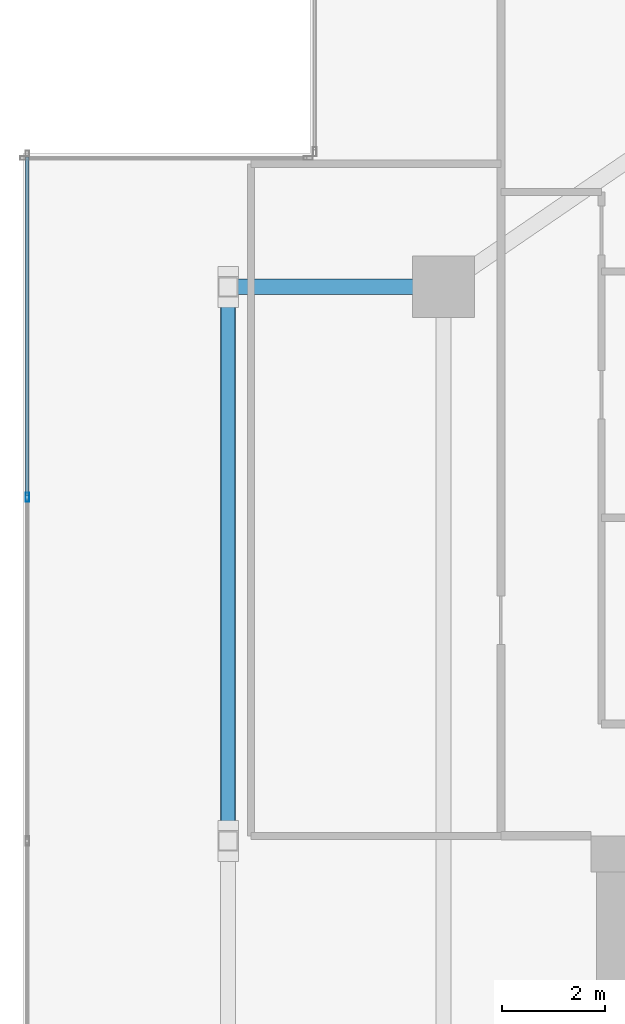
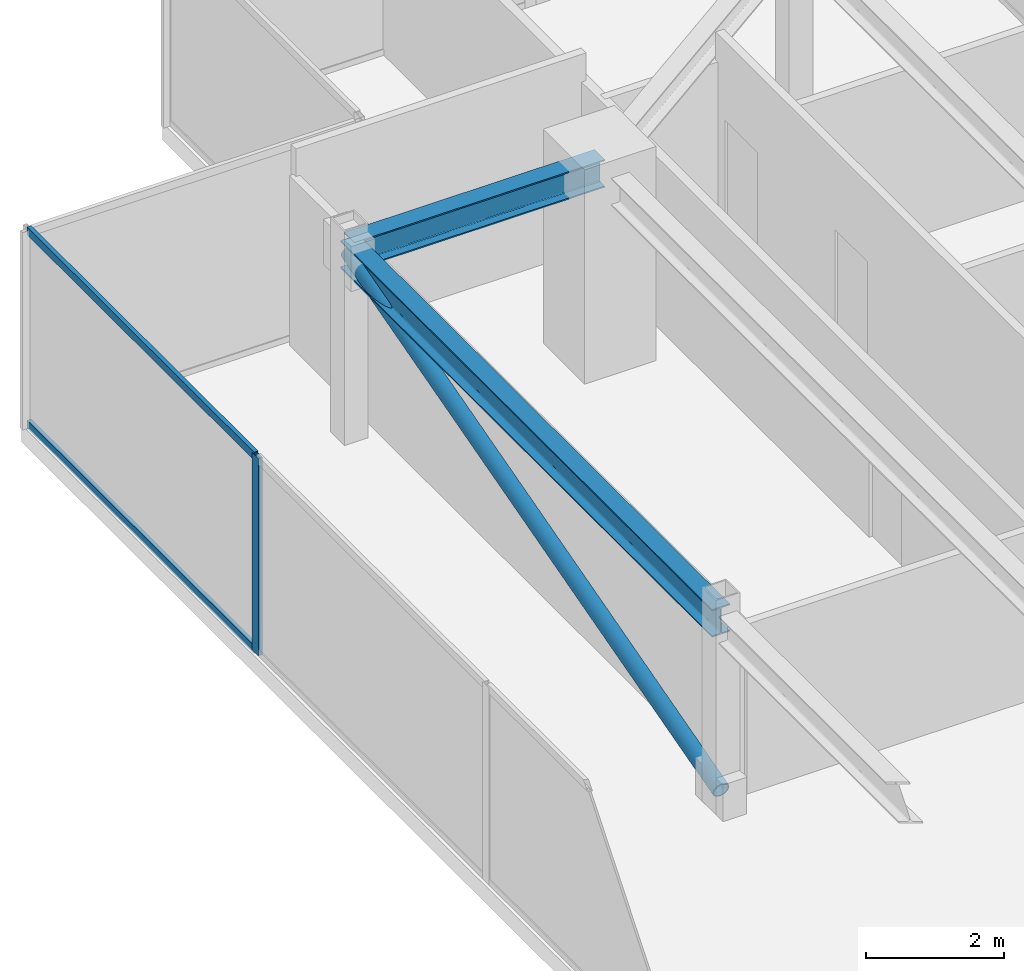
# One storey, part 10 of 25: 4 members, 2 beams, 1 element without a shape of its own.
"""IFC4 building model written with IfcOpenShell, lengths in metres."""

from ifc_helpers import new_model, si_unit, direction, frame, origin, origin_2d, place, context, subcontext, project, spatial, hollow_rectangle, hollow_circle, i_section, extrude, source, transform, mapped, material, material_profile, profile_set, type_object, type_shapes, element, aggregate, save


model = new_model("IFC4")

# Units and contexts
model_context = context("Model", 3, precision=1e-05, world=origin(), true_north=direction((0.0, 1.0)))
body_context = subcontext(model_context, "Body", "Model", "MODEL_VIEW")
ifc_project = project(units=[si_unit("LENGTHUNIT", "METRE"), si_unit("AREAUNIT", "SQUARE_METRE"), si_unit("VOLUMEUNIT", "CUBIC_METRE"), si_unit("PLANEANGLEUNIT", "RADIAN"), si_unit("MASSUNIT", "GRAM", prefix="KILO")], contexts=[model_context])

# Site, building, storey
site_placement = place(None, origin())
site = spatial("IfcSite", under=ifc_project, at=site_placement, CompositionType="ELEMENT")
building_placement = place(site_placement, origin())
building = spatial("IfcBuilding", under=site, at=building_placement, Name="Krantzveldt Concourse Tower", CompositionType="ELEMENT")
storey_placement = place(building_placement, frame((0.0, 0.0, 370.85009765625)))
storey = spatial("IfcBuildingStorey", under=building, at=storey_placement, Name="L91", CompositionType="ELEMENT", Elevation=370.85009765625)

# Beams
ifc_material_1 = material(Name="Steel S355JR", Category="steel")
ifc_material_profile_1 = material_profile(ifc_material_1, i_section(OverallWidth=0.300048828125, OverallDepth=0.489990234375, WebThickness=0.011962890625, FlangeThickness=0.02294921875, FilletRadius=0.027099609375, at=origin_2d()), Name="Steel S355JR", Category="steel")
ifc_profile_set_1 = profile_set([ifc_material_profile_1], Name="Steel S355JR - HEA 500")
beam_type = type_object("IfcBeamType", Name="BM-B-HEA500", PredefinedType="BEAM", material=ifc_profile_set_1)
shared_shape_1 = source(origin(), body_context, "Body", "SweptSolid", [
    extrude(i_section(OverallWidth=0.300048828125, OverallDepth=0.489990234375, WebThickness=0.011962890625, FlangeThickness=0.02294921875, FilletRadius=0.027099609375, at=origin_2d()), origin(), (0.0, 0.0, 1.0), 4.199951171875),
])
beam_1_placement = place(storey_placement, frame((21.0, 37.5, 3.2548828125), z_axis=(1.0, 0.0, 0.0), x_axis=(0.0, 1.0, 0.0)))
element("IfcBeam", 1, at=beam_1_placement, inside=storey, type_object=beam_type, Name="L91 Crown Girder WEST-3", PredefinedType="BEAM", context=body_context, shape_type="MappedRepresentation", body=[
    mapped(shared_shape_1, transform((0.0, 0.0, 0.0), x_axis=(1.0, 0.0, 0.0), y_axis=(0.0, 1.0, 0.0), z_axis=(0.0, 0.0, 1.0), scale=1.0)),
])
shared_shape_2 = source(origin(), body_context, "Body", "SweptSolid", [
    extrude(i_section(OverallWidth=0.300048828125, OverallDepth=0.489990234375, WebThickness=0.011962890625, FlangeThickness=0.02294921875, FilletRadius=0.027099609375, at=origin_2d()), origin(), (0.0, 0.0, 1.0), 10.800048828125),
])
type_shapes(beam_type, [shared_shape_1, shared_shape_2])
beam_2_placement = place(storey_placement, frame((21.0, 26.699951171875, 3.2548828125), z_axis=(0.0, 1.0, 0.0), x_axis=(-1.0, 0.0, 0.0)))
element("IfcBeam", 2, at=beam_2_placement, inside=storey, type_object=beam_type, Name="L91 Crown Girder WEST-2", PredefinedType="BEAM", context=body_context, shape_type="MappedRepresentation", body=[
    mapped(shared_shape_2, transform((0.0, 0.0, 0.0), x_axis=(1.0, 0.0, 0.0), y_axis=(0.0, 1.0, 0.0), z_axis=(0.0, 0.0, 1.0), scale=1.0)),
])

# Member
ifc_material_2 = material(Name="Steel S355J2", Category="steel")
ifc_material_profile_2 = material_profile(ifc_material_2, hollow_circle(Radius=0.136474609375, WallThickness=0.01611328125, at=origin_2d()), Name="Steel S355J2", Category="steel")
ifc_profile_set_2 = profile_set([ifc_material_profile_2], Name="Steel S355J2 - CHS 273x16")
member_type_1 = type_object("IfcMemberType", Name="MB-CB-CHS273", PredefinedType="BRACE", material=ifc_profile_set_2)
shared_shape_3 = source(origin(), body_context, "Body", "SweptSolid", [
    extrude(hollow_circle(Radius=0.136474609375, WallThickness=0.01611328125, at=origin_2d()), origin(), (0.0, 0.0, 1.0), 11.208984375),
])
type_shapes(member_type_1, [shared_shape_3])
member_1_placement = place(storey_placement, frame((21.0, 26.699951171875, 0.25), z_axis=(0.0, 0.963518221675, 0.26764274042), x_axis=(-1.0, 0.0, 0.0)))
element("IfcMember", 3, at=member_1_placement, inside=storey, type_object=member_type_1, Name="Brace Diagonal CBR-L91-WEST", PredefinedType="BRACE", context=body_context, shape_type="MappedRepresentation", body=[
    mapped(shared_shape_3, transform((0.0, 0.0, 0.0), x_axis=(1.0, 0.0, 0.0), y_axis=(0.0, 1.0, 0.0), z_axis=(0.0, 0.0, 1.0), scale=1.0)),
])

# Curtain wall, members
ifc_material_3 = material(Name="Anodised aluminium 6063-T6", Category="aluminium")
curtain_wall_type = type_object("IfcCurtainWallType", Name="CW7", PredefinedType="USERDEFINED", material=ifc_material_3)
curtain_wall_placement = place(storey_placement, origin())
curtain_wall = element("IfcCurtainWall", 4, at=curtain_wall_placement, inside=storey, type_object=curtain_wall_type, Name="CW-L91-WEST-05", ObjectType="UNITISED CURTAIN WALL", PredefinedType="USERDEFINED")
ifc_material_profile_3 = material_profile(ifc_material_3, hollow_rectangle(XDim=0.070068359375, YDim=0.139892578125, WallThickness=0.0048828125, at=origin_2d()), Name="Anodised aluminium 6063-T6", Category="aluminium")
ifc_profile_set_3 = profile_set([ifc_material_profile_3], Name="Anodised aluminium 6063-T6 - ALU-TRAN 140x70x5")
member_type_2 = type_object("IfcMemberType", Name="CW-TRN-150", PredefinedType="USERDEFINED", material=ifc_profile_set_3)
shared_shape_4 = source(origin(), body_context, "Body", "SweptSolid", [
    extrude(hollow_rectangle(XDim=0.070068359375, YDim=0.139892578125, WallThickness=0.0048828125, at=origin_2d()), origin(), (0.0, 0.0, 1.0), 6.594970703125),
])
type_shapes(member_type_2, [shared_shape_4])
member_2_placement = place(storey_placement, frame((17.090087890625, 40.030029296875, 0.034912109375), z_axis=(0.0, -1.0, 0.0), x_axis=(1.0, 0.0, 0.0)))
member_2 = element("IfcMember", 5, at=member_2_placement, type_object=member_type_2, Name="CW-CRN transom 1.1", ObjectType="TRANSOM", PredefinedType="USERDEFINED", context=body_context, shape_type="MappedRepresentation", body=[
    mapped(shared_shape_4, transform((0.0, 0.0, 0.0), x_axis=(1.0, 0.0, 0.0), y_axis=(0.0, 1.0, 0.0), z_axis=(0.0, 0.0, 1.0), scale=1.0)),
])
member_3_placement = place(storey_placement, frame((17.090087890625, 40.030029296875, 3.46484375), z_axis=(0.0, -1.0, 0.0), x_axis=(1.0, 0.0, 0.0)))
member_3 = element("IfcMember", 6, at=member_3_placement, type_object=member_type_2, Name="CW-CRN transom 1.2", ObjectType="TRANSOM", PredefinedType="USERDEFINED", context=body_context, shape_type="MappedRepresentation", body=[
    mapped(shared_shape_4, transform((0.0, 0.0, 0.0), x_axis=(1.0, 0.0, 0.0), y_axis=(0.0, 1.0, 0.0), z_axis=(0.0, 0.0, 1.0), scale=1.0)),
])
ifc_material_profile_4 = material_profile(ifc_material_3, hollow_rectangle(XDim=0.070068359375, YDim=0.179931640625, WallThickness=0.0048828125, at=origin_2d()), Name="Anodised aluminium 6063-T6", Category="aluminium")
ifc_profile_set_4 = profile_set([ifc_material_profile_4], Name="Anodised aluminium 6063-T6 - ALU-MULL 180x70x5")
member_type_3 = type_object("IfcMemberType", Name="CW-MUL-180", PredefinedType="MULLION", material=ifc_profile_set_4)
shared_shape_5 = source(origin(), body_context, "Body", "SweptSolid", [
    extrude(hollow_rectangle(XDim=0.070068359375, YDim=0.179931640625, WallThickness=0.0048828125, at=origin_2d()), origin(), (0.0, 0.0, 1.0), 3.5),
])
type_shapes(member_type_3, [shared_shape_5])
member_4_placement = place(storey_placement, frame((17.090087890625, 33.39990234375, 0.0), z_axis=(0.0, 0.0, 1.0), x_axis=(1.0, 0.0, 0.0)))
member_4 = element("IfcMember", 7, at=member_4_placement, type_object=member_type_3, Name="CW-CRN mullion 2", PredefinedType="MULLION", context=body_context, shape_type="MappedRepresentation", body=[
    mapped(shared_shape_5, transform((0.0, 0.0, 0.0), x_axis=(1.0, 0.0, 0.0), y_axis=(0.0, 1.0, 0.0), z_axis=(0.0, 0.0, 1.0), scale=1.0)),
])
aggregate(curtain_wall, [member_4, member_2, member_3])

save(model, "model.ifc")
